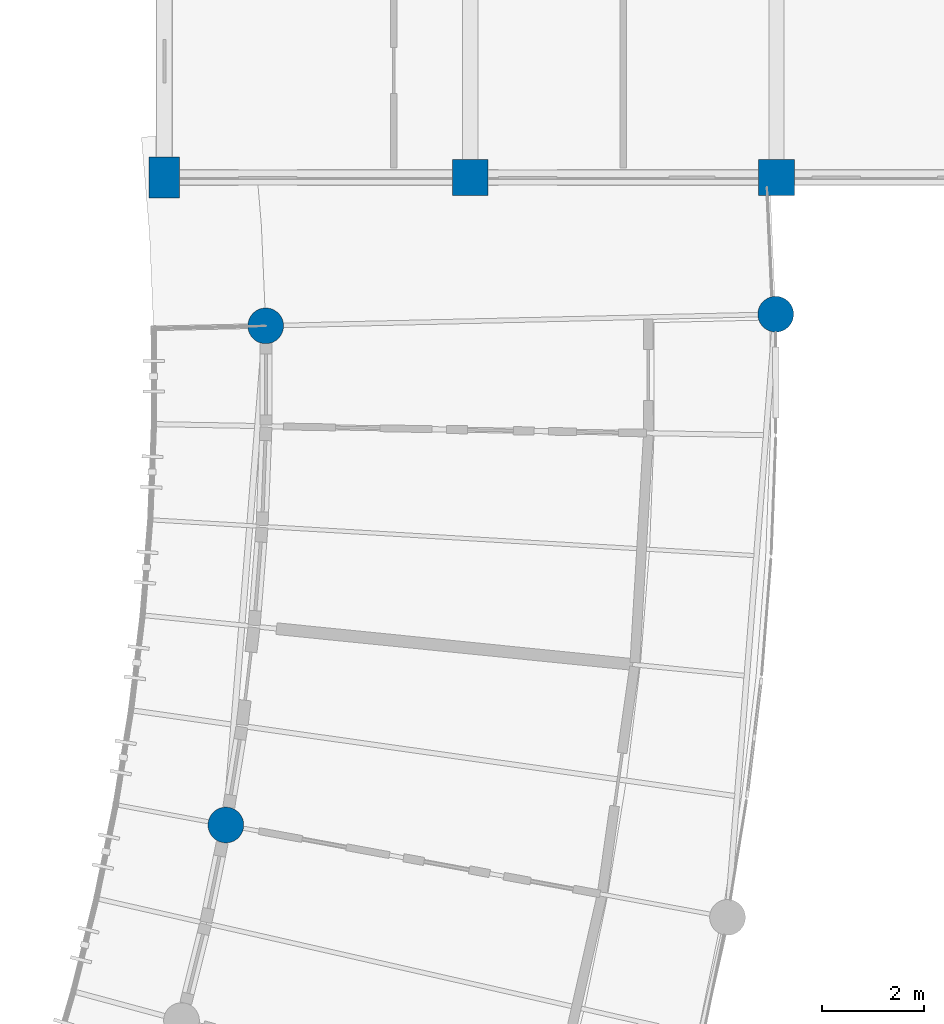
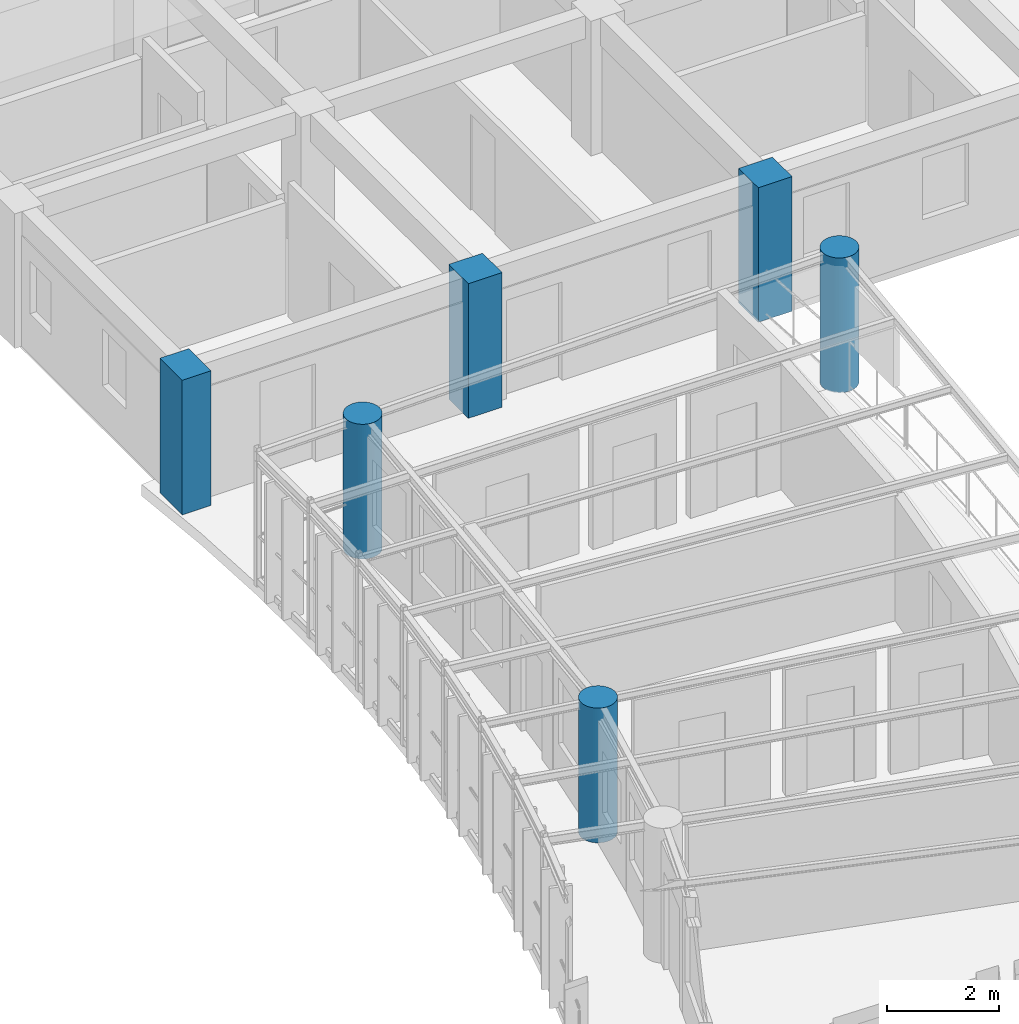
# One storey, part 5 of 137: 6 columns.
"""IFC4 building model written with IfcOpenShell, lengths in metres."""

from ifc_helpers import new_model, si_unit, direction, frame, origin, origin_2d, place, context, subcontext, project, spatial, rectangle, circle, extrude, material, material_profile, profile_set, type_object, element, save


model = new_model("IFC4")

# Units and contexts
model_context = context("Model", 3, precision=1e-05, world=origin(), true_north=direction((0.0, 1.0)))
body_context = subcontext(model_context, "Body", "Model", "MODEL_VIEW")
ifc_project = project(units=[si_unit("LENGTHUNIT", "METRE"), si_unit("AREAUNIT", "SQUARE_METRE"), si_unit("VOLUMEUNIT", "CUBIC_METRE"), si_unit("PLANEANGLEUNIT", "RADIAN"), si_unit("MASSUNIT", "GRAM", prefix="KILO"), si_unit("POWERUNIT", "WATT"), si_unit("THERMODYNAMICTEMPERATUREUNIT", "KELVIN")], contexts=[model_context])

# Site, building, storey
site_placement = place(None, origin())
site = spatial("IfcSite", under=ifc_project, at=site_placement, CompositionType="ELEMENT")
building_placement = place(site_placement, origin())
building = spatial("IfcBuilding", under=site, at=building_placement, Name="Ruvembo Vaulted Housing Court", CompositionType="ELEMENT")
storey_placement = place(building_placement, frame((0.0, 0.0, 4.5)))
storey = spatial("IfcBuildingStorey", under=building, at=storey_placement, Name="L01", CompositionType="ELEMENT", Elevation=4.5)

# Columns
ifc_material = material(Name="Concrete C40/50", Category="concrete")
ifc_material_profile_1 = material_profile(ifc_material, rectangle(XDim=0.60009765625, YDim=0.800048828125, at=origin_2d()), Name="RC 600x800")
ifc_profile_set_1 = profile_set([ifc_material_profile_1], Name="Concrete C40/50")
column_type_1 = type_object("IfcColumnType", Name="COL-RC-600x800", PredefinedType="COLUMN", material=ifc_profile_set_1)
column_placement = place(storey_placement, frame((48.0, 78.0, 0.0), z_axis=(0.0, 0.0, 1.0), x_axis=(1.0, 0.0, 0.0)))
element("IfcColumn", 1, at=column_placement, inside=storey, type_object=column_type_1, Name="L01 Column (48,78)", PredefinedType="COLUMN", context=body_context, shape_type="SweptSolid", body=[
    extrude(rectangle(XDim=0.60009765625, YDim=0.800048828125, at=origin_2d()), origin(), (0.0, 0.0, 1.0), 2.945068359375),
])
ifc_material_profile_2 = material_profile(ifc_material, rectangle(XDim=0.699951171875, YDim=0.699951171875, at=origin_2d()), Name="RC 700x700")
ifc_profile_set_2 = profile_set([ifc_material_profile_2], Name="Concrete C40/50")
column_type_2 = type_object("IfcColumnType", Name="COL-RC-700", PredefinedType="COLUMN", material=ifc_profile_set_2)
for number, where, z_axis, x_axis, name in (
    (2, (54.0, 78.0, 0.0), (0.0, 0.0, 1.0), (1.0, 0.0, 0.0), "L01 Column (54,78)"),
    (3, (60.0, 78.0, 0.0), (0.0, 0.0, 1.0), (1.0, 0.0, 0.0), "L01 Column (60,78)"),
):
    element("IfcColumn", number, at=place(storey_placement, frame(where, z_axis=z_axis, x_axis=x_axis)), inside=storey, type_object=column_type_2, Name=name, PredefinedType="COLUMN", context=body_context, shape_type="SweptSolid", body=[
        extrude(rectangle(XDim=0.699951171875, YDim=0.699951171875, at=origin_2d()), origin(), (0.0, 0.0, 1.0), 2.945068359375),
    ])
ifc_material_profile_3 = material_profile(ifc_material, circle(Radius=0.35009765625, at=origin_2d()), Name="RC D700")
ifc_profile_set_3 = profile_set([ifc_material_profile_3], Name="Concrete C40/50")
column_type_3 = type_object("IfcColumnType", Name="PILOTIS-D700", PredefinedType="COLUMN", material=ifc_profile_set_3)
for number, where, z_axis, x_axis, name in (
    (4, (49.206298828125, 65.306396484375, 0.0), (0.0, 0.0, 1.0), (1.0, 0.0, 0.0), "L01 Scooped Pier CP-SC1-F06"),
    (5, (49.987548828125, 75.092529296875, 0.0), (0.0, 0.0, 1.0), (1.0, 0.0, 0.0), "L01 Scooped Pier CP-SC1-F07"),
    (6, (59.985107421875, 75.3203125, 0.0), (0.0, 0.0, 1.0), (1.0, 0.0, 0.0), "L01 Scooped Pier CP-SC1-B07"),
):
    element("IfcColumn", number, at=place(storey_placement, frame(where, z_axis=z_axis, x_axis=x_axis)), inside=storey, type_object=column_type_3, Name=name, PredefinedType="COLUMN", context=body_context, shape_type="SweptSolid", body=[
        extrude(circle(Radius=0.35009765625, at=origin_2d()), origin(), (0.0, 0.0, 1.0), 2.947998046875),
    ])

save(model, "model.ifc")
